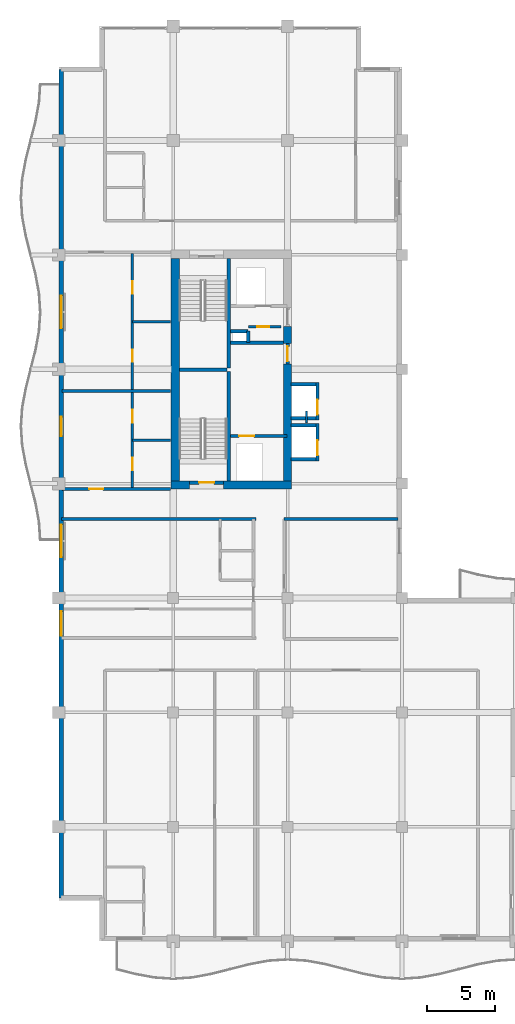
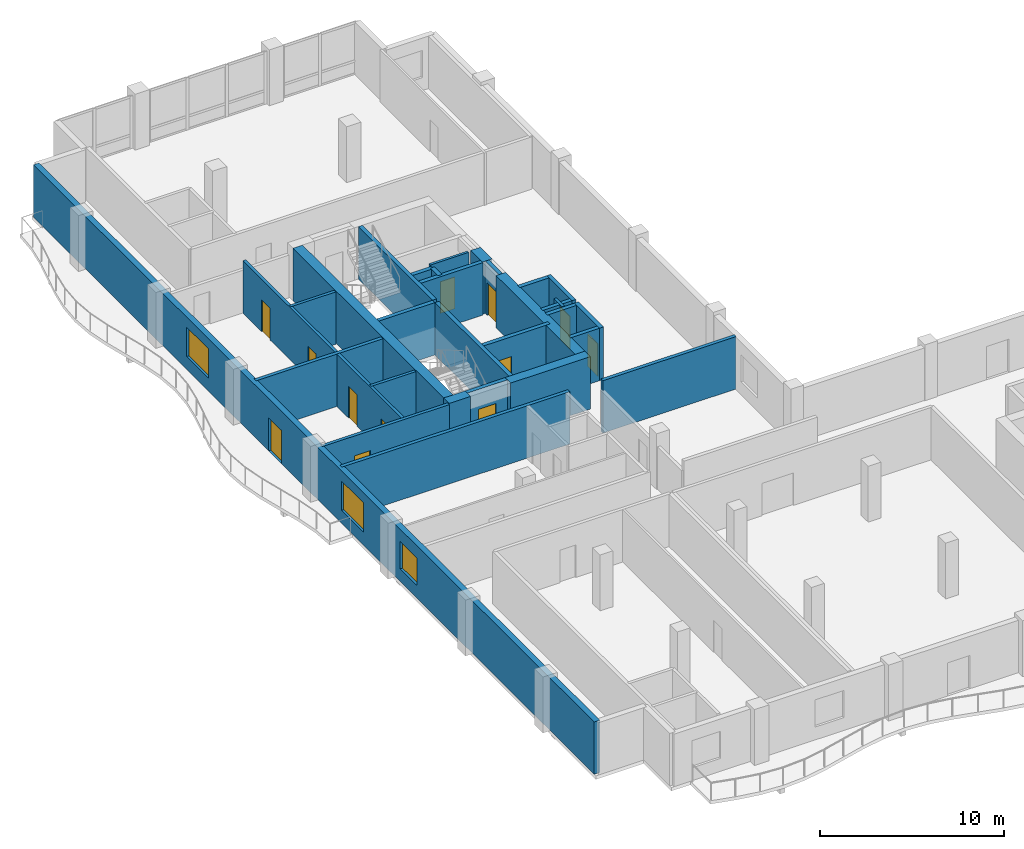
# One storey, part 9 of 16: 31 walls, 12 doors, 3 windows, 15 openings.
"""IFC4 building model written with IfcOpenShell, lengths in metres."""

from ifc_helpers import new_model, si_unit, direction, frame, frame_2d, origin, place, context, subcontext, project, spatial, rectangle, extrude, material, layer, layer_set, type_object, element, fill, save


model = new_model("IFC4")

# Units and contexts
model_context = context("Model", 3, precision=1e-05, world=origin(), true_north=direction((0.0, 1.0)))
body_context = subcontext(model_context, "Body", "Model", "MODEL_VIEW")
ifc_project = project(units=[si_unit("LENGTHUNIT", "METRE"), si_unit("AREAUNIT", "SQUARE_METRE"), si_unit("VOLUMEUNIT", "CUBIC_METRE"), si_unit("PLANEANGLEUNIT", "RADIAN"), si_unit("MASSUNIT", "GRAM", prefix="KILO")], contexts=[model_context])

# Site, building, storey
site_placement = place(None, origin())
site = spatial("IfcSite", under=ifc_project, at=site_placement, CompositionType="ELEMENT")
building_placement = place(site_placement, origin())
building = spatial("IfcBuilding", under=site, at=building_placement, Name="Koriwani Terraces Tower", CompositionType="ELEMENT")
storey_placement = place(building_placement, frame((0.0, 0.0, 267.5)))
storey = spatial("IfcBuildingStorey", under=building, at=storey_placement, Name="L66", CompositionType="ELEMENT", Elevation=267.5)

# Walls
ifc_material_1 = material(Name="Concrete C60/75", Category="concrete")
ifc_layer_1 = layer(ifc_material_1, 0.60009765625, Name="Concrete C60/75")
ifc_layer_set_1 = layer_set([ifc_layer_1], Name="Concrete C60/75")
wall_type_1 = type_object("IfcWallType", Name="WALL_CORE_RC_600", PredefinedType="SHEAR", material=ifc_layer_set_1)
wall_1_placement = place(storey_placement, frame((16.64990234375, 41.89990234375, 0.0), z_axis=(0.0, 0.0, 1.0), x_axis=(1.0, 0.0, 0.0)))
element("IfcWall", 1, at=wall_1_placement, inside=storey, type_object=wall_type_1, Name="L66 West Split Core Shear Wall S1", PredefinedType="SHEAR", context=body_context, shape_type="SweptSolid", body=[
    extrude(rectangle(XDim=1.35009765625, YDim=0.60009765625, at=frame_2d((0.675048828125, 0.0))), origin(), (0.0, 0.0, 1.0), 3.469970703125),
])
wall_2_placement = place(storey_placement, frame((20.5, 41.89990234375, 0.0), z_axis=(0.0, 0.0, 1.0), x_axis=(1.0, 0.0, 0.0)))
element("IfcWall", 2, at=wall_2_placement, inside=storey, type_object=wall_type_1, Name="L66 West Split Core Shear Wall S2", PredefinedType="SHEAR", context=body_context, shape_type="SweptSolid", body=[
    extrude(rectangle(XDim=5.0, YDim=0.60009765625, at=frame_2d((2.5, 0.0))), origin(), (0.0, 0.0, 1.0), 3.469970703125),
])
wall_3_placement = place(storey_placement, frame((16.949951171875, 42.199951171875, 0.0), z_axis=(0.0, 0.0, 1.0), x_axis=(0.0, 1.0, 0.0)))
element("IfcWall", 3, at=wall_3_placement, inside=storey, type_object=wall_type_1, Name="L66 West Split Core Shear Wall W1", PredefinedType="SHEAR", context=body_context, shape_type="SweptSolid", body=[
    extrude(rectangle(XDim=16.35009765625, YDim=0.60009765625, at=frame_2d((8.175048828125, 0.0))), origin(), (0.0, 0.0, 1.0), 3.469970703125),
])
wall_4_placement = place(storey_placement, frame((25.199951171875, 42.199951171875, 0.0), z_axis=(0.0, 0.0, 1.0), x_axis=(0.0, 1.0, 0.0)))
element("IfcWall", 4, at=wall_4_placement, inside=storey, type_object=wall_type_1, Name="L66 West Split Core Shear Wall E1", PredefinedType="SHEAR", context=body_context, shape_type="SweptSolid", body=[
    extrude(rectangle(XDim=8.60009765625, YDim=0.60009765625, at=frame_2d((4.300048828125, 0.0))), origin(), (0.0, 0.0, 1.0), 3.469970703125),
])
wall_5_placement = place(storey_placement, frame((25.199951171875, 52.280029296875, 0.0), z_axis=(0.0, 0.0, 1.0), x_axis=(0.0, 1.0, 0.0)))
element("IfcWall", 5, at=wall_5_placement, inside=storey, type_object=wall_type_1, Name="L66 West Split Core Shear Wall E2", PredefinedType="SHEAR", context=body_context, shape_type="SweptSolid", body=[
    extrude(rectangle(XDim=1.27001953125, YDim=0.60009765625, at=frame_2d((0.635009765625, 0.0))), origin(), (0.0, 0.0, 1.0), 3.469970703125),
])

# Wall, opening, door
ifc_material_2 = material(Name="Autoclaved Cellular Concrete Blockwork", Category="masonry")
ifc_layer_2 = layer(ifc_material_2, 0.199951171875, Name="Autoclaved Cellular Concrete Blockwork")
ifc_layer_set_2 = layer_set([ifc_layer_2], Name="Autoclaved Cellular Concrete Blockwork")
wall_type_2 = type_object("IfcWallType", Name="WALL_CORRIDOR_200", PredefinedType="PARTITIONING", material=ifc_layer_set_2)
wall_6_placement = place(storey_placement, frame((8.64990234375, 41.60009765625, 0.0), z_axis=(0.0, 0.0, 1.0), x_axis=(1.0, 0.0, 0.0)))
wall_6 = element("IfcWall", 6, at=wall_6_placement, inside=storey, type_object=wall_type_2, Name="L66 Interior Wall WRZ4-WS-L66", PredefinedType="PARTITIONING", context=body_context, shape_type="SweptSolid", body=[
    extrude(rectangle(XDim=7.9501953125, YDim=0.199951171875, at=frame_2d((3.97509765625, 0.0))), origin(), (0.0, 0.0, 1.0), 3.469970703125),
])
opening_1_placement = place(wall_6_placement, frame((2.0, 0.0, 0.0)))
opening_1 = element("IfcOpeningElement", 7, at=opening_1_placement, cuts=wall_6, Name="Opening D-05", PredefinedType="OPENING", context=body_context, shape_type="SweptSolid", body=[
    extrude(rectangle(XDim=1.0, YDim=2.14990234375, at=frame_2d((0.5, 1.074951171875))), frame((0.0, 0.10986328125, 0.0), z_axis=(0.0, -1.0, 0.0), x_axis=(1.0, 0.0, 0.0)), (0.0, 0.0, 1.0), 0.219970703125),
])
ifc_material_3 = material(Name="Architectural Oak Fire Door", Category="wood")
door_type_1 = type_object("IfcDoorType", Name="DOOR_SUITE_ENTRY_1000X2150", OperationType="NOTDEFINED", PredefinedType="DOOR", material=ifc_material_3)
door_1_placement = place(opening_1_placement, origin())
door_1 = element("IfcDoor", 8, at=door_1_placement, inside=storey, type_object=door_type_1, Name="Apartment 66RW1 Entrance Door", OperationType="SINGLE_SWING_LEFT", OverallHeight=2.14990234375, OverallWidth=1.0, PredefinedType="DOOR", context=body_context, shape_type="SweptSolid", body=[
    extrude(rectangle(XDim=1.0, YDim=2.14990234375, at=frame_2d((0.5, 1.074951171875))), frame((0.0, 0.02490234375, 0.0), z_axis=(0.0, -1.0, 0.0), x_axis=(1.0, 0.0, 0.0)), (0.0, 0.0, 1.0), 0.050048828125),
])
fill(opening_1, door_1)

# Walls
ifc_layer_3 = layer(ifc_material_2, 0.219970703125, Name="Autoclaved Cellular Concrete Blockwork")
ifc_layer_set_3 = layer_set([ifc_layer_3], Name="Autoclaved Cellular Concrete Blockwork")
wall_type_3 = type_object("IfcWallType", Name="WALL_DEMISING_220", PredefinedType="PARTITIONING", material=ifc_layer_set_3)
wall_7_placement = place(storey_placement, frame((24.949951171875, 39.39990234375, 0.0), z_axis=(0.0, 0.0, 1.0), x_axis=(1.0, 0.0, 0.0)))
element("IfcWall", 9, at=wall_7_placement, inside=storey, type_object=wall_type_3, Name="L66 Interior Wall WIC4WN-L66", PredefinedType="PARTITIONING", context=body_context, shape_type="SweptSolid", body=[
    extrude(rectangle(XDim=8.35009765625, YDim=0.219970703125, at=frame_2d((4.175048828125, 0.0))), origin(), (0.0, 0.0, 1.0), 3.469970703125),
])
wall_8_placement = place(storey_placement, frame((8.64990234375, 48.800048828125, 0.0), z_axis=(0.0, 0.0, 1.0), x_axis=(1.0, 0.0, 0.0)))
element("IfcWall", 10, at=wall_8_placement, inside=storey, type_object=wall_type_3, Name="L66 Interior Wall WRZ4-WM-L66", PredefinedType="PARTITIONING", context=body_context, shape_type="SweptSolid", body=[
    extrude(rectangle(XDim=7.9501953125, YDim=0.219970703125, at=frame_2d((3.97509765625, 0.0))), origin(), (0.0, 0.0, 1.0), 3.469970703125),
])
wall_9_placement = place(storey_placement, frame((8.60009765625, 39.39990234375, 0.0), z_axis=(0.0, 0.0, 1.0), x_axis=(1.0, 0.0, 0.0)))
element("IfcWall", 11, at=wall_9_placement, inside=storey, type_object=wall_type_3, Name="L66 Interior Wall WRDEME-L66-NE", PredefinedType="PARTITIONING", context=body_context, shape_type="SweptSolid", body=[
    extrude(rectangle(XDim=14.27978515625, YDim=0.219970703125, at=frame_2d((7.139892578125, 0.0))), origin(), (0.0, 0.0, 1.0), 3.469970703125),
])

# Wall, openings, door, windows
ifc_material_4 = material(Name="Concrete C50/60", Category="concrete")
ifc_layer_4 = layer(ifc_material_4, 0.35009765625, Name="Concrete C50/60")
ifc_layer_set_4 = layer_set([ifc_layer_4], Name="Concrete C50/60")
wall_type_4 = type_object("IfcWallType", Name="WALL_EXT_BRUTALIST_350", PredefinedType="STANDARD", material=ifc_layer_set_4)
wall_10_placement = place(storey_placement, frame((8.574951171875, 11.574951171875, 0.0), z_axis=(0.0, 0.0, 1.0), x_axis=(0.0, 1.0, 0.0)))
wall_10 = element("IfcWall", 12, at=wall_10_placement, inside=storey, type_object=wall_type_4, Name="L66 Fair-Faced Brutalist Exterior Wall (W)", PredefinedType="STANDARD", context=body_context, shape_type="SweptSolid", body=[
    extrude(rectangle(XDim=60.85009765625, YDim=0.35009765625, at=frame_2d((30.425048828125, 0.0))), origin(), (0.0, 0.0, 1.0), 3.469970703125),
])
opening_2_placement = place(wall_10_placement, frame((33.925048828125, 0.0, 0.0)))
opening_2 = element("IfcOpeningElement", 13, at=opening_2_placement, cuts=wall_10, Name="Opening D-09", PredefinedType="OPENING", context=body_context, shape_type="SweptSolid", body=[
    extrude(rectangle(XDim=1.39990234375, YDim=2.199951171875, at=frame_2d((0.699951171875, 1.10009765625))), frame((0.0, 0.18505859375, 0.0), z_axis=(0.0, -1.0, 0.0), x_axis=(1.0, 0.0, 0.0)), (0.0, 0.0, 1.0), 0.3701171875),
])
opening_3_placement = place(wall_10_placement, frame((25.02490234375, 0.0, 0.85009765625)))
opening_3 = element("IfcOpeningElement", 14, at=opening_3_placement, cuts=wall_10, Name="Opening W-03", PredefinedType="OPENING", context=body_context, shape_type="SweptSolid", body=[
    extrude(rectangle(XDim=2.39990234375, YDim=1.949951171875, at=frame_2d((1.199951171875, 0.97509765625))), frame((0.0, 0.18505859375, 0.0), z_axis=(0.0, -1.0, 0.0), x_axis=(1.0, 0.0, 0.0)), (0.0, 0.0, 1.0), 0.3701171875),
])
opening_4_placement = place(wall_10_placement, frame((41.824951171875, 0.0, 0.85009765625)))
opening_4 = element("IfcOpeningElement", 15, at=opening_4_placement, cuts=wall_10, Name="Opening W-03", PredefinedType="OPENING", context=body_context, shape_type="SweptSolid", body=[
    extrude(rectangle(XDim=2.39990234375, YDim=1.949951171875, at=frame_2d((1.199951171875, 0.97509765625))), frame((0.0, 0.18505859375, 0.0), z_axis=(0.0, -1.0, 0.0), x_axis=(1.0, 0.0, 0.0)), (0.0, 0.0, 1.0), 0.3701171875),
])
opening_5_placement = place(wall_10_placement, frame((19.25, 0.0, 0.85009765625)))
opening_5 = element("IfcOpeningElement", 16, at=opening_5_placement, cuts=wall_10, Name="Opening W-04", PredefinedType="OPENING", context=body_context, shape_type="SweptSolid", body=[
    extrude(rectangle(XDim=1.800048828125, YDim=1.800048828125, at=frame_2d((0.89990234375, 0.89990234375))), frame((0.0, 0.18505859375, 0.0), z_axis=(0.0, -1.0, 0.0), x_axis=(1.0, 0.0, 0.0)), (0.0, 0.0, 1.0), 0.3701171875),
])
ifc_material_5 = material(Name="Anodised Bronze Aluminium", Category="aluminium")
door_type_2 = type_object("IfcDoorType", Name="DOOR_BALCONY_GLAZED_1400X2200", OperationType="NOTDEFINED", PredefinedType="DOOR", material=ifc_material_5)
door_2_placement = place(opening_2_placement, origin())
door_2 = element("IfcDoor", 17, at=door_2_placement, inside=storey, type_object=door_type_2, Name="L66 West Balcony Glazed Door", OperationType="SINGLE_SWING_LEFT", OverallHeight=2.199951171875, OverallWidth=1.39990234375, PredefinedType="DOOR", context=body_context, shape_type="SweptSolid", body=[
    extrude(rectangle(XDim=1.39990234375, YDim=2.199951171875, at=frame_2d((0.699951171875, 1.10009765625))), frame((0.0, 0.02490234375, 0.0), z_axis=(0.0, -1.0, 0.0), x_axis=(1.0, 0.0, 0.0)), (0.0, 0.0, 1.0), 0.050048828125),
])
fill(opening_2, door_2)
ifc_material_6 = material(Name="Tempered Laminated Low-E Glass", Category="glass")
window_type_1 = type_object("IfcWindowType", Name="WIN_RES_BED_1800X1800", PartitioningType="DOUBLE_PANEL_VERTICAL", PredefinedType="WINDOW", material=ifc_material_6)
window_1_placement = place(opening_5_placement, origin())
window_1 = element("IfcWindow", 18, at=window_1_placement, inside=storey, type_object=window_type_1, Name="L66 Exterior Window (W-R37)", OverallHeight=1.800048828125, OverallWidth=1.800048828125, PartitioningType="SINGLE_PANEL", PredefinedType="WINDOW", context=body_context, shape_type="SweptSolid", body=[
    extrude(rectangle(XDim=1.800048828125, YDim=1.800048828125, at=frame_2d((0.89990234375, 0.89990234375))), frame((0.0, 0.030029296875, 0.0), z_axis=(0.0, -1.0, 0.0), x_axis=(1.0, 0.0, 0.0)), (0.0, 0.0, 1.0), 0.06005859375),
])
fill(opening_5, window_1)
window_type_2 = type_object("IfcWindowType", Name="WIN_RES_LIVING_2400X1950", PartitioningType="DOUBLE_PANEL_VERTICAL", PredefinedType="WINDOW", material=ifc_material_6)
window_2_placement = place(opening_3_placement, origin())
window_2 = element("IfcWindow", 19, at=window_2_placement, inside=storey, type_object=window_type_2, Name="L66 Exterior Window (W-9)", OverallHeight=1.949951171875, OverallWidth=2.39990234375, PartitioningType="SINGLE_PANEL", PredefinedType="WINDOW", context=body_context, shape_type="SweptSolid", body=[
    extrude(rectangle(XDim=2.39990234375, YDim=1.949951171875, at=frame_2d((1.199951171875, 0.97509765625))), frame((0.0, 0.030029296875, 0.0), z_axis=(0.0, -1.0, 0.0), x_axis=(1.0, 0.0, 0.0)), (0.0, 0.0, 1.0), 0.06005859375),
])
fill(opening_3, window_2)
window_3_placement = place(opening_4_placement, origin())
window_3 = element("IfcWindow", 20, at=window_3_placement, inside=storey, type_object=window_type_2, Name="L66 Exterior Window (W-15)", OverallHeight=1.949951171875, OverallWidth=2.39990234375, PartitioningType="SINGLE_PANEL", PredefinedType="WINDOW", context=body_context, shape_type="SweptSolid", body=[
    extrude(rectangle(XDim=2.39990234375, YDim=1.949951171875, at=frame_2d((1.199951171875, 0.97509765625))), frame((0.0, 0.030029296875, 0.0), z_axis=(0.0, -1.0, 0.0), x_axis=(1.0, 0.0, 0.0)), (0.0, 0.0, 1.0), 0.06005859375),
])
fill(opening_4, window_3)

# Wall, openings, doors
ifc_material_7 = material(Name="Fire-Rated Acoustic Gypsum Partition", Category="masonry")
ifc_layer_5 = layer(ifc_material_7, 0.179931640625, Name="Fire-Rated Acoustic Gypsum Partition")
ifc_layer_set_5 = layer_set([ifc_layer_5], Name="Fire-Rated Acoustic Gypsum Partition")
wall_type_5 = type_object("IfcWallType", Name="WALL_PLUMBING_180", PredefinedType="PLUMBINGWALL", material=ifc_layer_set_5)
wall_11_placement = place(storey_placement, frame((13.800048828125, 41.699951171875, 0.0), z_axis=(0.0, 0.0, 1.0), x_axis=(0.0, 1.0, 0.0)))
wall_11 = element("IfcWall", 21, at=wall_11_placement, inside=storey, type_object=wall_type_5, Name="L66 Interior Wall WRZ4-RW1-PB-L66", PredefinedType="PLUMBINGWALL", context=body_context, shape_type="SweptSolid", body=[
    extrude(rectangle(XDim=7.0, YDim=0.179931640625, at=frame_2d((3.5, 0.0))), origin(), (0.0, 0.0, 1.0), 3.469970703125),
])
opening_6_placement = place(wall_11_placement, frame((1.300048828125, 0.0, 0.0)))
opening_6 = element("IfcOpeningElement", 22, at=opening_6_placement, cuts=wall_11, Name="Opening D-07", PredefinedType="OPENING", context=body_context, shape_type="SweptSolid", body=[
    extrude(rectangle(XDim=0.89990234375, YDim=2.10009765625, at=frame_2d((0.449951171875, 1.050048828125))), frame((0.0, 0.10009765625, 0.0), z_axis=(0.0, -1.0, 0.0), x_axis=(1.0, 0.0, 0.0)), (0.0, 0.0, 1.0), 0.199951171875),
])
opening_7_placement = place(wall_11_placement, frame((4.7900390625, 0.0, 0.0)))
opening_7 = element("IfcOpeningElement", 23, at=opening_7_placement, cuts=wall_11, Name="Opening D-06", PredefinedType="OPENING", context=body_context, shape_type="SweptSolid", body=[
    extrude(rectangle(XDim=0.919921875, YDim=2.10009765625, at=frame_2d((0.4599609375, 1.050048828125))), frame((0.0, 0.10009765625, 0.0), z_axis=(0.0, -1.0, 0.0), x_axis=(1.0, 0.0, 0.0)), (0.0, 0.0, 1.0), 0.199951171875),
])
door_type_3 = type_object("IfcDoorType", Name="DOOR_BATH_INT_900X2100", OperationType="NOTDEFINED", PredefinedType="DOOR", material=ifc_material_3)
door_3_placement = place(opening_6_placement, origin())
door_3 = element("IfcDoor", 24, at=door_3_placement, inside=storey, type_object=door_type_3, Name="Apartment 66RW1 Bathroom Door", OperationType="SINGLE_SWING_LEFT", OverallHeight=2.10009765625, OverallWidth=0.89990234375, PredefinedType="DOOR", context=body_context, shape_type="SweptSolid", body=[
    extrude(rectangle(XDim=0.89990234375, YDim=2.10009765625, at=frame_2d((0.449951171875, 1.050048828125))), frame((0.0, 0.02490234375, 0.0), z_axis=(0.0, -1.0, 0.0), x_axis=(1.0, 0.0, 0.0)), (0.0, 0.0, 1.0), 0.050048828125),
])
fill(opening_6, door_3)
door_type_4 = type_object("IfcDoorType", Name="DOOR_ROOM_INT_920X2100", OperationType="NOTDEFINED", PredefinedType="DOOR", material=ifc_material_3)
door_4_placement = place(opening_7_placement, origin())
door_4 = element("IfcDoor", 25, at=door_4_placement, inside=storey, type_object=door_type_4, Name="Apartment 66RW1 Kitchen Door", OperationType="SINGLE_SWING_RIGHT", OverallHeight=2.10009765625, OverallWidth=0.919921875, PredefinedType="DOOR", context=body_context, shape_type="SweptSolid", body=[
    extrude(rectangle(XDim=0.919921875, YDim=2.10009765625, at=frame_2d((0.4599609375, 1.050048828125))), frame((0.0, 0.02490234375, 0.0), z_axis=(0.0, -1.0, 0.0), x_axis=(1.0, 0.0, 0.0)), (0.0, 0.0, 1.0), 0.050048828125),
])
fill(opening_7, door_4)

# Wall
wall_12_placement = place(storey_placement, frame((13.800048828125, 45.199951171875, 0.0), z_axis=(0.0, 0.0, 1.0), x_axis=(1.0, 0.0, 0.0)))
element("IfcWall", 26, at=wall_12_placement, inside=storey, type_object=wall_type_5, Name="L66 Interior Wall WRZ4-RW1-P2-L66", PredefinedType="PLUMBINGWALL", context=body_context, shape_type="SweptSolid", body=[
    extrude(rectangle(XDim=2.800048828125, YDim=0.179931640625, at=frame_2d((1.39990234375, 0.0))), origin(), (0.0, 0.0, 1.0), 3.469970703125),
])

# Wall, openings, doors
wall_13_placement = place(storey_placement, frame((13.800048828125, 48.89990234375, 0.0), z_axis=(0.0, 0.0, 1.0), x_axis=(0.0, 1.0, 0.0)))
wall_13 = element("IfcWall", 27, at=wall_13_placement, inside=storey, type_object=wall_type_5, Name="L66 Interior Wall WRZ4-RW2-PB-L66", PredefinedType="PLUMBINGWALL", context=body_context, shape_type="SweptSolid", body=[
    extrude(rectangle(XDim=10.0, YDim=0.179931640625, at=frame_2d((5.0, 0.0))), origin(), (0.0, 0.0, 1.0), 3.469970703125),
])
opening_8_placement = place(wall_13_placement, frame((2.050048828125, 0.0, 0.0)))
opening_8 = element("IfcOpeningElement", 28, at=opening_8_placement, cuts=wall_13, Name="Opening D-07", PredefinedType="OPENING", context=body_context, shape_type="SweptSolid", body=[
    extrude(rectangle(XDim=0.89990234375, YDim=2.10009765625, at=frame_2d((0.449951171875, 1.050048828125))), frame((0.0, 0.10009765625, 0.0), z_axis=(0.0, -1.0, 0.0), x_axis=(1.0, 0.0, 0.0)), (0.0, 0.0, 1.0), 0.199951171875),
])
opening_9_placement = place(wall_13_placement, frame((7.0400390625, 0.0, 0.0)))
opening_9 = element("IfcOpeningElement", 29, at=opening_9_placement, cuts=wall_13, Name="Opening D-06", PredefinedType="OPENING", context=body_context, shape_type="SweptSolid", body=[
    extrude(rectangle(XDim=0.919921875, YDim=2.10009765625, at=frame_2d((0.4599609375, 1.050048828125))), frame((0.0, 0.10009765625, 0.0), z_axis=(0.0, -1.0, 0.0), x_axis=(1.0, 0.0, 0.0)), (0.0, 0.0, 1.0), 0.199951171875),
])
door_5_placement = place(opening_8_placement, origin())
door_5 = element("IfcDoor", 30, at=door_5_placement, inside=storey, type_object=door_type_3, Name="Apartment 66RW2 Bathroom Door", OperationType="SINGLE_SWING_LEFT", OverallHeight=2.10009765625, OverallWidth=0.89990234375, PredefinedType="DOOR", context=body_context, shape_type="SweptSolid", body=[
    extrude(rectangle(XDim=0.89990234375, YDim=2.10009765625, at=frame_2d((0.449951171875, 1.050048828125))), frame((0.0, 0.02490234375, 0.0), z_axis=(0.0, -1.0, 0.0), x_axis=(1.0, 0.0, 0.0)), (0.0, 0.0, 1.0), 0.050048828125),
])
fill(opening_8, door_5)
door_6_placement = place(opening_9_placement, origin())
door_6 = element("IfcDoor", 31, at=door_6_placement, inside=storey, type_object=door_type_4, Name="Apartment 66RW2 Kitchen Door", OperationType="SINGLE_SWING_RIGHT", OverallHeight=2.10009765625, OverallWidth=0.919921875, PredefinedType="DOOR", context=body_context, shape_type="SweptSolid", body=[
    extrude(rectangle(XDim=0.919921875, YDim=2.10009765625, at=frame_2d((0.4599609375, 1.050048828125))), frame((0.0, 0.02490234375, 0.0), z_axis=(0.0, -1.0, 0.0), x_axis=(1.0, 0.0, 0.0)), (0.0, 0.0, 1.0), 0.050048828125),
])
fill(opening_9, door_6)

# Walls
wall_14_placement = place(storey_placement, frame((13.800048828125, 53.89990234375, 0.0), z_axis=(0.0, 0.0, 1.0), x_axis=(1.0, 0.0, 0.0)))
element("IfcWall", 32, at=wall_14_placement, inside=storey, type_object=wall_type_5, Name="L66 Interior Wall WRZ4-RW2-P2-L66", PredefinedType="PLUMBINGWALL", context=body_context, shape_type="SweptSolid", body=[
    extrude(rectangle(XDim=2.800048828125, YDim=0.179931640625, at=frame_2d((1.39990234375, 0.0))), origin(), (0.0, 0.0, 1.0), 3.469970703125),
])
ifc_material_8 = material(Name="Concrete C40/50", Category="concrete")
ifc_layer_6 = layer(ifc_material_8, 0.25, Name="Concrete C40/50")
ifc_layer_set_6 = layer_set([ifc_layer_6], Name="Concrete C40/50")
wall_type_6 = type_object("IfcWallType", Name="WALL_SHAFT_RATED_250", PredefinedType="SOLIDWALL", material=ifc_layer_set_6)
for number, where, z_axis, x_axis, name in (
    (33, (20.875, 42.199951171875, 0.0), (0.0, 0.0, 1.0), (0.0, 1.0, 0.0), "L66 West Split Core Web Wall MID1"),
    (34, (20.875, 50.5, 0.0), (0.0, 0.0, 1.0), (0.0, 1.0, 0.0), "L66 West Split Core Web Wall MID2"),
):
    element("IfcWall", number, at=place(storey_placement, frame(where, z_axis=z_axis, x_axis=x_axis)), inside=storey, type_object=wall_type_6, Name=name, PredefinedType="SOLIDWALL", context=body_context, shape_type="SweptSolid", body=[
        extrude(rectangle(XDim=8.050048828125, YDim=0.25, at=frame_2d((4.02490234375, 0.0))), origin(), (0.0, 0.0, 1.0), 3.469970703125),
    ])
wall_15_placement = place(storey_placement, frame((17.25, 50.375, 0.0), z_axis=(0.0, 0.0, 1.0), x_axis=(1.0, 0.0, 0.0)))
element("IfcWall", 35, at=wall_15_placement, inside=storey, type_object=wall_type_6, Name="L66 West Split Core Stair Dividing Wall", PredefinedType="SOLIDWALL", context=body_context, shape_type="SweptSolid", body=[
    extrude(rectangle(XDim=3.5, YDim=0.25, at=frame_2d((1.75, 0.0))), origin(), (0.0, 0.0, 1.0), 3.469970703125),
])

# Wall, opening, door
wall_16_placement = place(storey_placement, frame((18.0, 42.074951171875, 0.0), z_axis=(0.0, 0.0, 1.0), x_axis=(1.0, 0.0, 0.0)))
wall_16 = element("IfcWall", 36, at=wall_16_placement, inside=storey, type_object=wall_type_6, Name="L66 Interior Wall WIN-CW-L66-STS", PredefinedType="SOLIDWALL", context=body_context, shape_type="SweptSolid", body=[
    extrude(rectangle(XDim=2.5, YDim=0.25, at=frame_2d((1.25, 0.0))), origin(), (0.0, 0.0, 1.0), 3.469970703125),
])
opening_10_placement = place(wall_16_placement, frame((0.699951171875, 0.0, 0.0)))
opening_10 = element("IfcOpeningElement", 37, at=opening_10_placement, cuts=wall_16, Name="Opening D-03", PredefinedType="OPENING", context=body_context, shape_type="SweptSolid", body=[
    extrude(rectangle(XDim=1.10009765625, YDim=2.14990234375, at=frame_2d((0.550048828125, 1.074951171875))), frame((0.0, 0.135009765625, 0.0), z_axis=(0.0, -1.0, 0.0), x_axis=(1.0, 0.0, 0.0)), (0.0, 0.0, 1.0), 0.27001953125),
])
ifc_material_9 = material(Name="Steel ASTM A572 Grade 50", Category="steel")
door_type_5 = type_object("IfcDoorType", Name="DOOR_STAIR_FIRE_1100X2150", OperationType="NOTDEFINED", PredefinedType="DOOR", material=ifc_material_9)
door_7_placement = place(opening_10_placement, origin())
door_7 = element("IfcDoor", 38, at=door_7_placement, inside=storey, type_object=door_type_5, Name="L66 Exit Stair ST-W1 Door", OperationType="SINGLE_SWING_RIGHT", OverallHeight=2.14990234375, OverallWidth=1.10009765625, PredefinedType="DOOR", context=body_context, shape_type="SweptSolid", body=[
    extrude(rectangle(XDim=1.10009765625, YDim=2.14990234375, at=frame_2d((0.550048828125, 1.074951171875))), frame((0.0, 0.02490234375, 0.0), z_axis=(0.0, -1.0, 0.0), x_axis=(1.0, 0.0, 0.0)), (0.0, 0.0, 1.0), 0.050048828125),
])
fill(opening_10, door_7)

wall_17_placement = place(storey_placement, frame((21.0, 45.5, 0.0), z_axis=(0.0, 0.0, 1.0), x_axis=(1.0, 0.0, 0.0)))
wall_17 = element("IfcWall", 39, at=wall_17_placement, inside=storey, type_object=wall_type_6, Name="L66 Interior Wall WIN-CW-L66-FE", PredefinedType="SOLIDWALL", context=body_context, shape_type="SweptSolid", body=[
    extrude(rectangle(XDim=4.14990234375, YDim=0.25, at=frame_2d((2.074951171875, 0.0))), origin(), (0.0, 0.0, 1.0), 3.469970703125),
])
opening_11_placement = place(wall_17_placement, frame((0.64990234375, 0.0, 0.0)))
opening_11 = element("IfcOpeningElement", 40, at=opening_11_placement, cuts=wall_17, Name="Opening LD-01", PredefinedType="OPENING", context=body_context, shape_type="SweptSolid", body=[
    extrude(rectangle(XDim=1.10009765625, YDim=2.14990234375, at=frame_2d((0.550048828125, 1.074951171875))), frame((0.0, 0.135009765625, 0.0), z_axis=(0.0, -1.0, 0.0), x_axis=(1.0, 0.0, 0.0)), (0.0, 0.0, 1.0), 0.27001953125),
])
door_type_6 = type_object("IfcDoorType", Name="DOOR_LIFT_LANDING_1100X2200", OperationType="NOTDEFINED", PredefinedType="DOOR", material=ifc_material_9)
door_8_placement = place(opening_11_placement, origin())
door_8 = element("IfcDoor", 41, at=door_8_placement, inside=storey, type_object=door_type_6, Name="L66 Firefighting Lift FE-01 Landing Door", OperationType="SLIDING_TO_LEFT", OverallHeight=2.14990234375, OverallWidth=1.10009765625, PredefinedType="DOOR", context=body_context, shape_type="SweptSolid", body=[
    extrude(rectangle(XDim=1.10009765625, YDim=2.14990234375, at=frame_2d((0.550048828125, 1.074951171875))), frame((0.0, 0.02490234375, 0.0), z_axis=(0.0, -1.0, 0.0), x_axis=(1.0, 0.0, 0.0)), (0.0, 0.0, 1.0), 0.050048828125),
])
fill(opening_11, door_8)

wall_18_placement = place(storey_placement, frame((25.199951171875, 50.800048828125, 0.0), z_axis=(0.0, 0.0, 1.0), x_axis=(0.0, 1.0, 0.0)))
wall_18 = element("IfcWall", 42, at=wall_18_placement, inside=storey, type_object=wall_type_6, Name="L66 Interior Wall WIN-CW-L66-EP", PredefinedType="SOLIDWALL", context=body_context, shape_type="SweptSolid", body=[
    extrude(rectangle(XDim=1.47998046875, YDim=0.25, at=frame_2d((0.739990234375, 0.0))), origin(), (0.0, 0.0, 1.0), 3.469970703125),
])
opening_12_placement = place(wall_18_placement, frame((0.179931640625, 0.0, 0.0)))
opening_12 = element("IfcOpeningElement", 43, at=opening_12_placement, cuts=wall_18, Name="Opening D-03", PredefinedType="OPENING", context=body_context, shape_type="SweptSolid", body=[
    extrude(rectangle(XDim=1.10009765625, YDim=2.14990234375, at=frame_2d((0.550048828125, 1.074951171875))), frame((0.0, 0.135009765625, 0.0), z_axis=(0.0, -1.0, 0.0), x_axis=(1.0, 0.0, 0.0)), (0.0, 0.0, 1.0), 0.27001953125),
])
door_9_placement = place(opening_12_placement, origin())
door_9 = element("IfcDoor", 44, at=door_9_placement, inside=storey, type_object=door_type_5, Name="L66 West Firefighting Lobby Door", OperationType="SINGLE_SWING_RIGHT", OverallHeight=2.14990234375, OverallWidth=1.10009765625, PredefinedType="DOOR", context=body_context, shape_type="SweptSolid", body=[
    extrude(rectangle(XDim=1.10009765625, YDim=2.14990234375, at=frame_2d((0.550048828125, 1.074951171875))), frame((0.0, 0.02490234375, 0.0), z_axis=(0.0, -1.0, 0.0), x_axis=(1.0, 0.0, 0.0)), (0.0, 0.0, 1.0), 0.050048828125),
])
fill(opening_12, door_9)

# Walls
wall_19_placement = place(storey_placement, frame((21.0, 52.340087890625, 0.0), z_axis=(0.0, 0.0, 1.0), x_axis=(1.0, 0.0, 0.0)))
element("IfcWall", 45, at=wall_19_placement, inside=storey, type_object=wall_type_6, Name="L66 Interior Wall WIN-CW-L66-FFN", PredefinedType="SOLIDWALL", context=body_context, shape_type="SweptSolid", body=[
    extrude(rectangle(XDim=3.89990234375, YDim=0.25, at=frame_2d((1.949951171875, 0.0))), origin(), (0.0, 0.0, 1.0), 3.469970703125),
])
wall_20_placement = place(storey_placement, frame((21.0, 53.199951171875, 0.0), z_axis=(0.0, 0.0, 1.0), x_axis=(1.0, 0.0, 0.0)))
element("IfcWall", 46, at=wall_20_placement, inside=storey, type_object=wall_type_6, Name="L66 Interior Wall WIN-CW-L66-RS1", PredefinedType="SOLIDWALL", context=body_context, shape_type="SweptSolid", body=[
    extrude(rectangle(XDim=1.300048828125, YDim=0.25, at=frame_2d((0.64990234375, 0.0))), origin(), (0.0, 0.0, 1.0), 3.469970703125),
])
wall_21_placement = place(storey_placement, frame((22.300048828125, 52.360107421875, 0.0), z_axis=(0.0, 0.0, 1.0), x_axis=(0.0, 1.0, 0.0)))
element("IfcWall", 47, at=wall_21_placement, inside=storey, type_object=wall_type_6, Name="L66 Interior Wall WIN-CW-L66-RS2", PredefinedType="SOLIDWALL", context=body_context, shape_type="SweptSolid", body=[
    extrude(rectangle(XDim=0.83984375, YDim=0.25, at=frame_2d((0.419921875, 0.0))), origin(), (0.0, 0.0, 1.0), 3.469970703125),
])

# Wall, opening, door
wall_22_placement = place(storey_placement, frame((27.39990234375, 43.675048828125, 0.0), z_axis=(0.0, 0.0, 1.0), x_axis=(0.0, 1.0, 0.0)))
wall_22 = element("IfcWall", 48, at=wall_22_placement, inside=storey, type_object=wall_type_6, Name="L66 Interior Wall WIN-LF-PE-H1-L66-F", PredefinedType="SOLIDWALL", context=body_context, shape_type="SweptSolid", body=[
    extrude(rectangle(XDim=2.75, YDim=0.25, at=frame_2d((1.375, 0.0))), origin(), (0.0, 0.0, 1.0), 3.469970703125),
])
opening_13_placement = place(wall_22_placement, frame((0.39990234375, 0.0, 0.0)))
opening_13 = element("IfcOpeningElement", 49, at=opening_13_placement, cuts=wall_22, Name="Opening LD-01", PredefinedType="OPENING", context=body_context, shape_type="SweptSolid", body=[
    extrude(rectangle(XDim=1.10009765625, YDim=2.14990234375, at=frame_2d((0.550048828125, 1.074951171875))), frame((0.0, 0.135009765625, 0.0), z_axis=(0.0, -1.0, 0.0), x_axis=(1.0, 0.0, 0.0)), (0.0, 0.0, 1.0), 0.27001953125),
])
door_10_placement = place(opening_13_placement, origin())
door_10 = element("IfcDoor", 50, at=door_10_placement, inside=storey, type_object=door_type_6, Name="L66 Passenger Lift PE-H1 Landing Door", OperationType="SLIDING_TO_LEFT", OverallHeight=2.14990234375, OverallWidth=1.10009765625, PredefinedType="DOOR", context=body_context, shape_type="SweptSolid", body=[
    extrude(rectangle(XDim=1.10009765625, YDim=2.14990234375, at=frame_2d((0.550048828125, 1.074951171875))), frame((0.0, 0.02490234375, 0.0), z_axis=(0.0, -1.0, 0.0), x_axis=(1.0, 0.0, 0.0)), (0.0, 0.0, 1.0), 0.050048828125),
])
fill(opening_13, door_10)

# Walls
for number, where, z_axis, x_axis, name in (
    (51, (25.449951171875, 43.800048828125, 0.0), (0.0, 0.0, 1.0), (1.0, 0.0, 0.0), "L66 Interior Wall WIN-LF-PE-H1-L66-S"),
    (52, (25.449951171875, 46.300048828125, 0.0), (0.0, 0.0, 1.0), (1.0, 0.0, 0.0), "L66 Interior Wall WIN-LF-PE-H1-L66-N"),
):
    element("IfcWall", number, at=place(storey_placement, frame(where, z_axis=z_axis, x_axis=x_axis)), inside=storey, type_object=wall_type_6, Name=name, PredefinedType="SOLIDWALL", context=body_context, shape_type="SweptSolid", body=[
        extrude(rectangle(XDim=1.824951171875, YDim=0.25, at=frame_2d((0.91259765625, 0.0))), origin(), (0.0, 0.0, 1.0), 3.469970703125),
    ])

# Wall, opening, door
wall_23_placement = place(storey_placement, frame((27.39990234375, 46.675048828125, 0.0), z_axis=(0.0, 0.0, 1.0), x_axis=(0.0, 1.0, 0.0)))
wall_23 = element("IfcWall", 53, at=wall_23_placement, inside=storey, type_object=wall_type_6, Name="L66 Interior Wall WIN-LF-PE-H2-L66-F", PredefinedType="SOLIDWALL", context=body_context, shape_type="SweptSolid", body=[
    extrude(rectangle(XDim=2.75, YDim=0.25, at=frame_2d((1.375, 0.0))), origin(), (0.0, 0.0, 1.0), 3.469970703125),
])
opening_14_placement = place(wall_23_placement, frame((0.39990234375, 0.0, 0.0)))
opening_14 = element("IfcOpeningElement", 54, at=opening_14_placement, cuts=wall_23, Name="Opening LD-01", PredefinedType="OPENING", context=body_context, shape_type="SweptSolid", body=[
    extrude(rectangle(XDim=1.10009765625, YDim=2.14990234375, at=frame_2d((0.550048828125, 1.074951171875))), frame((0.0, 0.135009765625, 0.0), z_axis=(0.0, -1.0, 0.0), x_axis=(1.0, 0.0, 0.0)), (0.0, 0.0, 1.0), 0.27001953125),
])
door_11_placement = place(opening_14_placement, origin())
door_11 = element("IfcDoor", 55, at=door_11_placement, inside=storey, type_object=door_type_6, Name="L66 Passenger Lift PE-H2 Landing Door", OperationType="SLIDING_TO_LEFT", OverallHeight=2.14990234375, OverallWidth=1.10009765625, PredefinedType="DOOR", context=body_context, shape_type="SweptSolid", body=[
    extrude(rectangle(XDim=1.10009765625, YDim=2.14990234375, at=frame_2d((0.550048828125, 1.074951171875))), frame((0.0, 0.02490234375, 0.0), z_axis=(0.0, -1.0, 0.0), x_axis=(1.0, 0.0, 0.0)), (0.0, 0.0, 1.0), 0.050048828125),
])
fill(opening_14, door_11)

# Walls
for number, where, z_axis, x_axis, name in (
    (56, (25.449951171875, 46.800048828125, 0.0), (0.0, 0.0, 1.0), (1.0, 0.0, 0.0), "L66 Interior Wall WIN-LF-PE-H2-L66-S"),
    (57, (25.449951171875, 49.300048828125, 0.0), (0.0, 0.0, 1.0), (1.0, 0.0, 0.0), "L66 Interior Wall WIN-LF-PE-H2-L66-N"),
):
    element("IfcWall", number, at=place(storey_placement, frame(where, z_axis=z_axis, x_axis=x_axis)), inside=storey, type_object=wall_type_6, Name=name, PredefinedType="SOLIDWALL", context=body_context, shape_type="SweptSolid", body=[
        extrude(rectangle(XDim=1.824951171875, YDim=0.25, at=frame_2d((0.91259765625, 0.0))), origin(), (0.0, 0.0, 1.0), 3.469970703125),
    ])

# Wall, opening, door
ifc_layer_7 = layer(ifc_material_7, 0.159912109375, Name="Fire-Rated Acoustic Gypsum Partition")
ifc_layer_set_7 = layer_set([ifc_layer_7], Name="Fire-Rated Acoustic Gypsum Partition")
wall_type_7 = type_object("IfcWallType", Name="WALL_SUITE_160", PredefinedType="PARTITIONING", material=ifc_layer_set_7)
wall_24_placement = place(storey_placement, frame((22.320068359375, 53.52001953125, 0.0), z_axis=(0.0, 0.0, 1.0), x_axis=(1.0, 0.0, 0.0)))
wall_24 = element("IfcWall", 58, at=wall_24_placement, inside=storey, type_object=wall_type_7, Name="L66 Interior Wall WIN-CW-L66-SV0", PredefinedType="PARTITIONING", context=body_context, shape_type="SweptSolid", body=[
    extrude(rectangle(XDim=2.39990234375, YDim=0.159912109375, at=frame_2d((1.199951171875, 0.0))), origin(), (0.0, 0.0, 1.0), 3.469970703125),
])
opening_15_placement = place(wall_24_placement, frame((0.64990234375, 0.0, 0.0)))
opening_15 = element("IfcOpeningElement", 59, at=opening_15_placement, cuts=wall_24, Name="Opening D-07", PredefinedType="OPENING", context=body_context, shape_type="SweptSolid", body=[
    extrude(rectangle(XDim=0.89990234375, YDim=2.10009765625, at=frame_2d((0.449951171875, 1.050048828125))), frame((0.0, 0.08984375, 0.0), z_axis=(0.0, -1.0, 0.0), x_axis=(1.0, 0.0, 0.0)), (0.0, 0.0, 1.0), 0.179931640625),
])
door_12_placement = place(opening_15_placement, origin())
door_12 = element("IfcDoor", 60, at=door_12_placement, inside=storey, type_object=door_type_3, Name="L66 West Electrical Switch Room Door", OperationType="SINGLE_SWING_RIGHT", OverallHeight=2.10009765625, OverallWidth=0.89990234375, PredefinedType="DOOR", context=body_context, shape_type="SweptSolid", body=[
    extrude(rectangle(XDim=0.89990234375, YDim=2.10009765625, at=frame_2d((0.449951171875, 1.050048828125))), frame((0.0, 0.02490234375, 0.0), z_axis=(0.0, -1.0, 0.0), x_axis=(1.0, 0.0, 0.0)), (0.0, 0.0, 1.0), 0.050048828125),
])
fill(opening_15, door_12)

# Wall
wall_25_placement = place(storey_placement, frame((26.60009765625, 46.4599609375, 0.0), z_axis=(0.0, 0.0, 1.0), x_axis=(0.0, 1.0, 0.0)))
element("IfcWall", 61, at=wall_25_placement, inside=storey, type_object=wall_type_7, Name="L66 Interior Wall WIN-LF-PEH12-MID-L66", PredefinedType="PARTITIONING", context=body_context, shape_type="SweptSolid", body=[
    extrude(rectangle(XDim=0.880126953125, YDim=0.159912109375, at=frame_2d((0.43994140625, 0.0))), origin(), (0.0, 0.0, 1.0), 3.469970703125),
])

save(model, "model.ifc")
